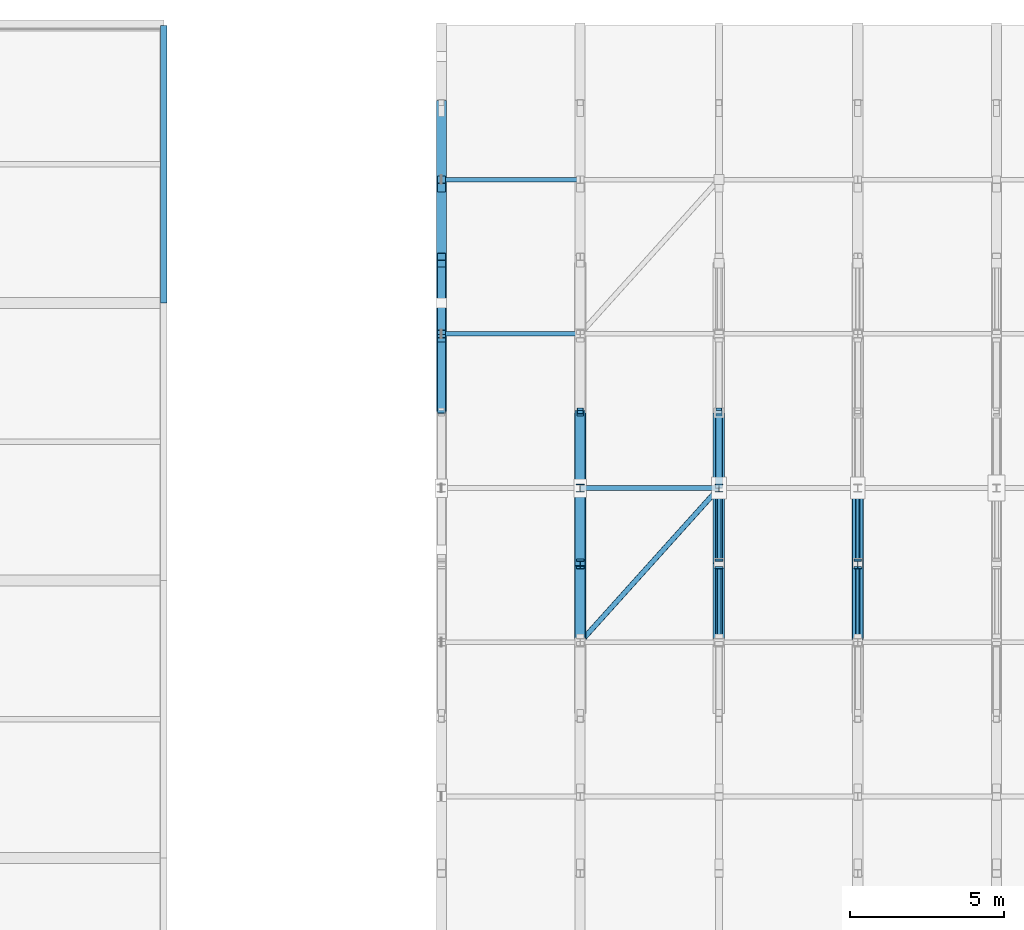
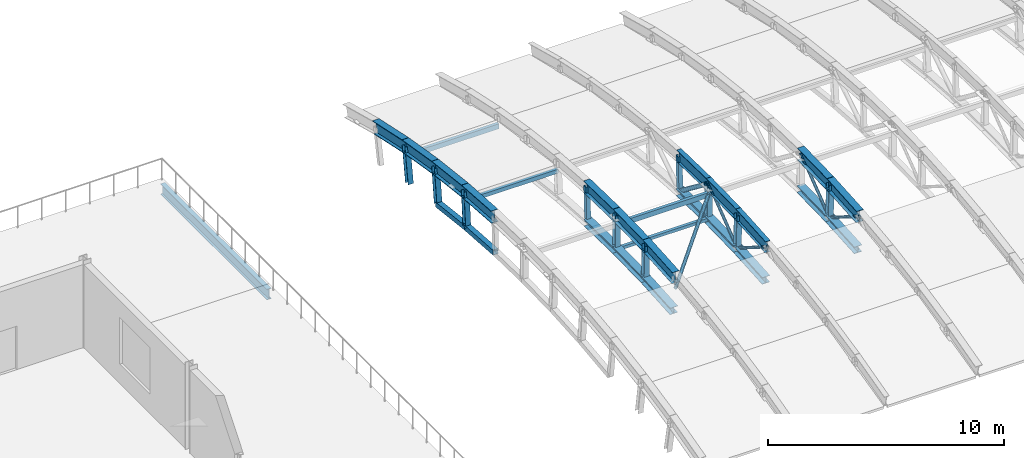
# One storey, part 9 of 53: 30 members, 13 beams.
"""IFC4 building model written with IfcOpenShell, lengths in metres."""

from ifc_helpers import new_model, si_unit, direction, frame, origin, origin_2d, place, context, subcontext, project, spatial, hollow_rectangle, hollow_circle, i_section, extrude, material, material_profile, profile_set, type_object, element, save


model = new_model("IFC4")

# Units and contexts
model_context = context("Model", 3, precision=1e-05, world=origin(), true_north=direction((0.0, 1.0)))
body_context = subcontext(model_context, "Body", "Model", "MODEL_VIEW")
ifc_project = project(units=[si_unit("LENGTHUNIT", "METRE"), si_unit("AREAUNIT", "SQUARE_METRE"), si_unit("VOLUMEUNIT", "CUBIC_METRE"), si_unit("PLANEANGLEUNIT", "RADIAN"), si_unit("MASSUNIT", "GRAM", prefix="KILO")], contexts=[model_context])

# Site, building, storey
site_placement = place(None, origin())
site = spatial("IfcSite", under=ifc_project, at=site_placement, CompositionType="ELEMENT")
building_placement = place(site_placement, origin())
building = spatial("IfcBuilding", under=site, at=building_placement, Name="Cazmaro Siding Exhibition Halls", CompositionType="ELEMENT")
storey_placement = place(building_placement, frame((0.0, 0.0, 21.0)))
storey = spatial("IfcBuildingStorey", under=building, at=storey_placement, Name="L04", CompositionType="ELEMENT", Elevation=21.0)

# Beams
ifc_material_1 = material(Name="Steel ASTM A992 Grade 50", Category="steel")
ifc_material_profile_1 = material_profile(ifc_material_1, i_section(OverallWidth=0.327880859375, OverallDepth=0.626953125, WebThickness=0.01708984375, FlangeThickness=0.028076171875, at=origin_2d()), Name="W24X146")
ifc_profile_set_1 = profile_set([ifc_material_profile_1], Name="Steel ASTM A992 Grade 50")
beam_type_1 = type_object("IfcBeamType", Name="AR-01", PredefinedType="USERDEFINED", material=ifc_profile_set_1)
beam_1_placement = place(storey_placement, frame((45.0, 96.5, 2.44189453125), z_axis=(0.0, 0.997537204184, -0.070139334669), x_axis=(-1.0, 0.0, 0.0)))
element("IfcBeam", 1, at=beam_1_placement, inside=storey, type_object=beam_type_1, Name="Space frame barrel vault arched rib AR-01 BM-0548", ObjectType="ARCHED RIB", PredefinedType="USERDEFINED", context=body_context, shape_type="SweptSolid", body=[
    extrude(i_section(OverallWidth=0.327880859375, OverallDepth=0.626953125, WebThickness=0.01708984375, FlangeThickness=0.028076171875, at=origin_2d()), origin(), (0.0, 0.0, 1.0), 2.506103515625),
])
beam_2_placement = place(storey_placement, frame((45.0, 99.0, 2.26611328125), z_axis=(0.0, 0.993147293786, -0.116869383693), x_axis=(-1.0, 0.0, 0.0)))
element("IfcBeam", 2, at=beam_2_placement, inside=storey, type_object=beam_type_1, Name="Space frame barrel vault arched rib AR-01 BM-0549", ObjectType="ARCHED RIB", PredefinedType="USERDEFINED", context=body_context, shape_type="SweptSolid", body=[
    extrude(i_section(OverallWidth=0.327880859375, OverallDepth=0.626953125, WebThickness=0.01708984375, FlangeThickness=0.028076171875, at=origin_2d()), origin(), (0.0, 0.0, 1.0), 2.517333984375),
])
beam_3_placement = place(storey_placement, frame((45.0, 101.5, 1.971923828125), z_axis=(0.0, 0.98649787474, -0.163774061236), x_axis=(-1.0, 0.0, 0.0)))
element("IfcBeam", 3, at=beam_3_placement, inside=storey, type_object=beam_type_1, Name="Space frame barrel vault arched rib AR-01 BM-0550", ObjectType="ARCHED RIB", PredefinedType="USERDEFINED", context=body_context, shape_type="SweptSolid", body=[
    extrude(i_section(OverallWidth=0.327880859375, OverallDepth=0.626953125, WebThickness=0.01708984375, FlangeThickness=0.028076171875, at=origin_2d()), origin(), (0.0, 0.0, 1.0), 2.5341796875),
])
beam_4_placement = place(storey_placement, frame((45.0, 104.0, 1.556884765625), z_axis=(0.0, 0.977710100146, -0.209959424826), x_axis=(-1.0, 0.0, 0.0)))
element("IfcBeam", 4, at=beam_4_placement, inside=storey, type_object=beam_type_1, Name="Space frame barrel vault arched rib AR-01 BM-0551", ObjectType="ARCHED RIB", PredefinedType="USERDEFINED", context=body_context, shape_type="SweptSolid", body=[
    extrude(i_section(OverallWidth=0.327880859375, OverallDepth=0.626953125, WebThickness=0.01708984375, FlangeThickness=0.028076171875, at=origin_2d()), origin(), (0.0, 0.0, 1.0), 2.556884765625),
])
beam_5_placement = place(storey_placement, frame((58.5, 89.0, 2.26611328125), z_axis=(0.0, 0.997537204184, 0.070139334669), x_axis=(-1.0, 0.0, 0.0)))
element("IfcBeam", 5, at=beam_5_placement, inside=storey, type_object=beam_type_1, Name="Space frame barrel vault arched rib AR-01 BM-0617", ObjectType="ARCHED RIB", PredefinedType="USERDEFINED", context=body_context, shape_type="SweptSolid", body=[
    extrude(i_section(OverallWidth=0.327880859375, OverallDepth=0.626953125, WebThickness=0.01708984375, FlangeThickness=0.028076171875, at=origin_2d()), origin(), (0.0, 0.0, 1.0), 2.506103515625),
])
beam_6_placement = place(storey_placement, frame((58.5, 91.5, 2.44189453125), z_axis=(0.0, 0.999730009742, 0.023235912336), x_axis=(-1.0, 0.0, 0.0)))
element("IfcBeam", 6, at=beam_6_placement, inside=storey, type_object=beam_type_1, Name="Space frame barrel vault arched rib AR-01 BM-0618", ObjectType="ARCHED RIB", PredefinedType="USERDEFINED", context=body_context, shape_type="SweptSolid", body=[
    extrude(i_section(OverallWidth=0.327880859375, OverallDepth=0.626953125, WebThickness=0.01708984375, FlangeThickness=0.028076171875, at=origin_2d()), origin(), (0.0, 0.0, 1.0), 2.500732421875),
])
ifc_material_2 = material(Name="Steel ASTM A992 Grade 50", Category="steel")
ifc_material_profile_2 = material_profile(ifc_material_2, i_section(OverallWidth=0.324951171875, OverallDepth=0.612060546875, WebThickness=0.012939453125, FlangeThickness=0.01904296875, at=origin_2d()), Name="W24X104")
ifc_profile_set_2 = profile_set([ifc_material_profile_2], Name="Steel ASTM A992 Grade 50")
beam_type_2 = type_object("IfcBeamType", Name="AR-02", PredefinedType="USERDEFINED", material=ifc_profile_set_2)
beam_7_placement = place(storey_placement, frame((49.5, 89.0, 2.26611328125), z_axis=(0.0, 0.997537204184, 0.070139334669), x_axis=(-1.0, 0.0, 0.0)))
element("IfcBeam", 7, at=beam_7_placement, inside=storey, type_object=beam_type_2, Name="Space frame barrel vault arched rib AR-02 BM-0569", ObjectType="ARCHED RIB", PredefinedType="USERDEFINED", context=body_context, shape_type="SweptSolid", body=[
    extrude(i_section(OverallWidth=0.324951171875, OverallDepth=0.612060546875, WebThickness=0.012939453125, FlangeThickness=0.01904296875, at=origin_2d()), origin(), (0.0, 0.0, 1.0), 2.506103515625),
])
for number, where, z_axis, x_axis, name in (
    (8, (49.5, 91.5, 2.44189453125), (0.0, 0.999730009742, 0.023235912336), (-1.0, 0.0, 0.0), "Space frame barrel vault arched rib AR-02 BM-0570"),
    (9, (49.5, 94.0, 2.5), (0.0, 0.999730009742, -0.023235912336), (-1.0, 0.0, 0.0), "Space frame barrel vault arched rib AR-02 BM-0571"),
):
    element("IfcBeam", number, at=place(storey_placement, frame(where, z_axis=z_axis, x_axis=x_axis)), inside=storey, type_object=beam_type_2, Name=name, ObjectType="ARCHED RIB", PredefinedType="USERDEFINED", context=body_context, shape_type="SweptSolid", body=[
        extrude(i_section(OverallWidth=0.324951171875, OverallDepth=0.612060546875, WebThickness=0.012939453125, FlangeThickness=0.01904296875, at=origin_2d()), origin(), (0.0, 0.0, 1.0), 2.500732421875),
    ])
ifc_material_3 = material(Name="Steel ASTM A992 Grade 50", Category="steel")
ifc_material_profile_3 = material_profile(ifc_material_3, i_section(OverallWidth=0.22900390625, OverallDepth=0.612060546875, WebThickness=0.011962890625, FlangeThickness=0.02001953125, at=origin_2d()), Name="W24X84")
ifc_profile_set_3 = profile_set([ifc_material_profile_3], Name="Steel ASTM A992 Grade 50")
beam_type_3 = type_object("IfcBeamType", Name="AR-03", PredefinedType="USERDEFINED", material=ifc_profile_set_3)
beam_8_placement = place(storey_placement, frame((54.0, 89.0, 2.26611328125), z_axis=(0.0, 0.997537204184, 0.070139334669), x_axis=(-1.0, 0.0, 0.0)))
element("IfcBeam", 10, at=beam_8_placement, inside=storey, type_object=beam_type_3, Name="Space frame barrel vault arched rib AR-03 BM-0593", ObjectType="ARCHED RIB", PredefinedType="USERDEFINED", context=body_context, shape_type="SweptSolid", body=[
    extrude(i_section(OverallWidth=0.22900390625, OverallDepth=0.612060546875, WebThickness=0.011962890625, FlangeThickness=0.02001953125, at=origin_2d()), origin(), (0.0, 0.0, 1.0), 2.506103515625),
])
for number, where, z_axis, x_axis, name in (
    (11, (54.0, 91.5, 2.44189453125), (0.0, 0.999730009742, 0.023235912336), (-1.0, 0.0, 0.0), "Space frame barrel vault arched rib AR-03 BM-0594"),
    (12, (54.0, 94.0, 2.5), (0.0, 0.999730009742, -0.023235912336), (-1.0, 0.0, 0.0), "Space frame barrel vault arched rib AR-03 BM-0595"),
):
    element("IfcBeam", number, at=place(storey_placement, frame(where, z_axis=z_axis, x_axis=x_axis)), inside=storey, type_object=beam_type_3, Name=name, ObjectType="ARCHED RIB", PredefinedType="USERDEFINED", context=body_context, shape_type="SweptSolid", body=[
        extrude(i_section(OverallWidth=0.22900390625, OverallDepth=0.612060546875, WebThickness=0.011962890625, FlangeThickness=0.02001953125, at=origin_2d()), origin(), (0.0, 0.0, 1.0), 2.500732421875),
    ])
ifc_material_4 = material(Name="Steel ASTM A992 Grade 50", Category="steel")
ifc_material_profile_4 = material_profile(ifc_material_4, i_section(OverallWidth=0.214111328125, OverallDepth=0.549072265625, WebThickness=0.014892578125, FlangeThickness=0.02392578125, at=origin_2d()), Name="W21X93")
ifc_profile_set_4 = profile_set([ifc_material_profile_4], Name="Steel ASTM A992 Grade 50")
beam_type_4 = type_object("IfcBeamType", Name="B-01", PredefinedType="BEAM", material=ifc_profile_set_4)
beam_9_placement = place(storey_placement, frame((36.0, 100.0, -0.5439453125), z_axis=(0.0, 1.0, 0.0), x_axis=(-1.0, 0.0, 0.0)))
element("IfcBeam", 13, at=beam_9_placement, inside=storey, type_object=beam_type_4, Name="Beam B-01 BM-2357", PredefinedType="BEAM", context=body_context, shape_type="SweptSolid", body=[
    extrude(i_section(OverallWidth=0.214111328125, OverallDepth=0.549072265625, WebThickness=0.014892578125, FlangeThickness=0.02392578125, at=origin_2d()), origin(), (0.0, 0.0, 1.0), 9.0),
])

# Members
ifc_material_5 = material(Name="Steel ASTM A500 Grade C", Category="steel")
ifc_material_profile_5 = material_profile(ifc_material_5, hollow_rectangle(XDim=0.152099609375, YDim=0.152099609375, WallThickness=0.009033203125, at=origin_2d()), Name="HSS6X6X3/8")
ifc_profile_set_5 = profile_set([ifc_material_profile_5], Name="Steel ASTM A500 Grade C")
member_type_1 = type_object("IfcMemberType", Name="CS-01", PredefinedType="STRUT", material=ifc_profile_set_5)
member_1_placement = place(storey_placement, frame((49.5, 94.0, 0.699951171875), z_axis=(1.0, 0.0, 0.0), x_axis=(0.0, 1.0, 0.0)))
element("IfcMember", 14, at=member_1_placement, inside=storey, type_object=member_type_1, Name="Space frame vault ridge compression strut CS-01 MEM-1990", PredefinedType="STRUT", context=body_context, shape_type="SweptSolid", body=[
    extrude(hollow_rectangle(XDim=0.152099609375, YDim=0.152099609375, WallThickness=0.009033203125, at=origin_2d()), origin(), (0.0, 0.0, 1.0), 4.5),
])
ifc_material_6 = material(Name="Steel ASTM A500 Grade C", Category="steel")
ifc_material_profile_6 = material_profile(ifc_material_6, hollow_rectangle(XDim=0.152099609375, YDim=0.202880859375, WallThickness=0.011962890625, at=origin_2d()), Name="HSS8X6X1/2")
ifc_profile_set_6 = profile_set([ifc_material_profile_6], Name="Steel ASTM A500 Grade C")
member_type_2 = type_object("IfcMemberType", Name="RP-01", PredefinedType="PURLIN", material=ifc_profile_set_6)
member_2_placement = place(storey_placement, frame((45.0, 99.0, 1.72607421875), z_axis=(1.0, 0.0, 0.0), x_axis=(0.0, 1.0, 0.0)))
element("IfcMember", 15, at=member_2_placement, inside=storey, type_object=member_type_2, Name="Space frame barrel vault purlin RP-01 MEM-1970", PredefinedType="PURLIN", context=body_context, shape_type="SweptSolid", body=[
    extrude(hollow_rectangle(XDim=0.152099609375, YDim=0.202880859375, WallThickness=0.011962890625, at=origin_2d()), origin(), (0.0, 0.0, 1.0), 4.5),
])
ifc_material_7 = material(Name="Steel ASTM A500 Grade C", Category="steel")
ifc_material_profile_7 = material_profile(ifc_material_7, hollow_rectangle(XDim=0.152099609375, YDim=0.25390625, WallThickness=0.011962890625, at=origin_2d()), Name="HSS10X6X1/2")
ifc_profile_set_7 = profile_set([ifc_material_profile_7], Name="Steel ASTM A500 Grade C")
member_type_3 = type_object("IfcMemberType", Name="RP-04", PredefinedType="PURLIN", material=ifc_profile_set_7)
for number, where, z_axis, x_axis, name in (
    (16, (45.0, 104.0, 1.01708984375), (1.0, 0.0, 0.0), (0.0, 1.0, 0.0), "Space frame barrel vault purlin RP-04 MEM-1971"),
    (17, (49.5, 94.0, 1.9599609375), (1.0, 0.0, 0.0), (0.0, 1.0, 0.0), "Space frame barrel vault purlin RP-04 MEM-1980"),
):
    element("IfcMember", number, at=place(storey_placement, frame(where, z_axis=z_axis, x_axis=x_axis)), inside=storey, type_object=member_type_3, Name=name, PredefinedType="PURLIN", context=body_context, shape_type="SweptSolid", body=[
        extrude(hollow_rectangle(XDim=0.152099609375, YDim=0.25390625, WallThickness=0.011962890625, at=origin_2d()), origin(), (0.0, 0.0, 1.0), 4.5),
    ])
ifc_material_8 = material(Name="Steel ASTM A500 Grade C", Category="steel")
ifc_material_profile_8 = material_profile(ifc_material_8, hollow_rectangle(XDim=0.25390625, YDim=0.25390625, WallThickness=0.014892578125, at=origin_2d()), Name="HSS10X10X5/8")
ifc_profile_set_8 = profile_set([ifc_material_profile_8], Name="Steel ASTM A500 Grade C")
member_type_4 = type_object("IfcMemberType", Name="TC-01", PredefinedType="CHORD", material=ifc_profile_set_8)
member_3_placement = place(storey_placement, frame((45.0, 96.429931640625, 0.64404296875), z_axis=(0.0, 0.997529419526, -0.070249962135), x_axis=(-1.0, 0.0, 0.0)))
element("IfcMember", 18, at=member_3_placement, inside=storey, type_object=member_type_4, Name="Space frame barrel vault bottom chord TC-01 MEM-0014", PredefinedType="CHORD", context=body_context, shape_type="SweptSolid", body=[
    extrude(hollow_rectangle(XDim=0.25390625, YDim=0.25390625, WallThickness=0.014892578125, at=origin_2d()), origin(), (0.0, 0.0, 1.0), 2.436279296875),
])
member_4_placement = place(storey_placement, frame((45.0, 98.860107421875, 0.472900390625), z_axis=(0.0, 0.993149923187, -0.116847037079), x_axis=(-1.0, 0.0, 0.0)))
element("IfcMember", 19, at=member_4_placement, inside=storey, type_object=member_type_4, Name="Space frame barrel vault bottom chord TC-01 MEM-0015", PredefinedType="CHORD", context=body_context, shape_type="SweptSolid", body=[
    extrude(hollow_rectangle(XDim=0.25390625, YDim=0.25390625, WallThickness=0.014892578125, at=origin_2d()), origin(), (0.0, 0.0, 1.0), 2.44677734375),
])
ifc_material_9 = material(Name="Steel ASTM A992 Grade 50", Category="steel")
ifc_material_profile_9 = material_profile(ifc_material_9, i_section(OverallWidth=0.37109375, OverallDepth=0.364013671875, WebThickness=0.012939453125, FlangeThickness=0.02197265625, at=origin_2d()), Name="W14X109")
ifc_profile_set_9 = profile_set([ifc_material_profile_9], Name="Steel ASTM A992 Grade 50")
member_type_5 = type_object("IfcMemberType", Name="TC-06", PredefinedType="CHORD", material=ifc_profile_set_9)
member_5_placement = place(storey_placement, frame((49.5, 89.139892578125, 0.472900390625), z_axis=(0.0, 0.997529419526, 0.070249962135), x_axis=(-1.0, 0.0, 0.0)))
element("IfcMember", 20, at=member_5_placement, inside=storey, type_object=member_type_5, Name="Space frame barrel vault bottom chord TC-06 MEM-0058", PredefinedType="CHORD", context=body_context, shape_type="SweptSolid", body=[
    extrude(i_section(OverallWidth=0.37109375, OverallDepth=0.364013671875, WebThickness=0.012939453125, FlangeThickness=0.02197265625, at=origin_2d()), origin(), (0.0, 0.0, 1.0), 2.436279296875),
])
for number, where, z_axis, x_axis, name in (
    (21, (49.5, 91.570068359375, 0.64404296875), (0.0, 0.99973541783, 0.023002050707), (-1.0, 0.0, 0.0), "Space frame barrel vault bottom chord TC-06 MEM-0059"),
    (22, (49.5, 94.0, 0.699951171875), (0.0, 0.99973541783, -0.023002050707), (-1.0, 0.0, 0.0), "Space frame barrel vault bottom chord TC-06 MEM-0060"),
):
    element("IfcMember", number, at=place(storey_placement, frame(where, z_axis=z_axis, x_axis=x_axis)), inside=storey, type_object=member_type_5, Name=name, PredefinedType="CHORD", context=body_context, shape_type="SweptSolid", body=[
        extrude(i_section(OverallWidth=0.37109375, OverallDepth=0.364013671875, WebThickness=0.012939453125, FlangeThickness=0.02197265625, at=origin_2d()), origin(), (0.0, 0.0, 1.0), 2.4306640625),
    ])
member_6_placement = place(storey_placement, frame((54.0, 89.139892578125, 0.472900390625), z_axis=(0.0, 0.997529419526, 0.070249962135), x_axis=(-1.0, 0.0, 0.0)))
element("IfcMember", 23, at=member_6_placement, inside=storey, type_object=member_type_5, Name="Space frame barrel vault bottom chord TC-06 MEM-0115", PredefinedType="CHORD", context=body_context, shape_type="SweptSolid", body=[
    extrude(i_section(OverallWidth=0.37109375, OverallDepth=0.364013671875, WebThickness=0.012939453125, FlangeThickness=0.02197265625, at=origin_2d()), origin(), (0.0, 0.0, 1.0), 2.436279296875),
])
for number, where, z_axis, x_axis, name in (
    (24, (54.0, 91.570068359375, 0.64404296875), (0.0, 0.99973541783, 0.023002050707), (-1.0, 0.0, 0.0), "Space frame barrel vault bottom chord TC-06 MEM-0117"),
    (25, (54.0, 94.0, 0.699951171875), (0.0, 0.99973541783, -0.023002050707), (-1.0, 0.0, 0.0), "Space frame barrel vault bottom chord TC-06 MEM-0119"),
):
    element("IfcMember", number, at=place(storey_placement, frame(where, z_axis=z_axis, x_axis=x_axis)), inside=storey, type_object=member_type_5, Name=name, PredefinedType="CHORD", context=body_context, shape_type="SweptSolid", body=[
        extrude(i_section(OverallWidth=0.37109375, OverallDepth=0.364013671875, WebThickness=0.012939453125, FlangeThickness=0.02197265625, at=origin_2d()), origin(), (0.0, 0.0, 1.0), 2.4306640625),
    ])
member_7_placement = place(storey_placement, frame((58.5, 89.139892578125, 0.472900390625), z_axis=(0.0, 0.997529419526, 0.070249962135), x_axis=(-1.0, 0.0, 0.0)))
element("IfcMember", 26, at=member_7_placement, inside=storey, type_object=member_type_5, Name="Space frame barrel vault bottom chord TC-06 MEM-0186", PredefinedType="CHORD", context=body_context, shape_type="SweptSolid", body=[
    extrude(i_section(OverallWidth=0.37109375, OverallDepth=0.364013671875, WebThickness=0.012939453125, FlangeThickness=0.02197265625, at=origin_2d()), origin(), (0.0, 0.0, 1.0), 2.436279296875),
])
member_8_placement = place(storey_placement, frame((58.5, 91.570068359375, 0.64404296875), z_axis=(0.0, 0.99973541783, 0.023002050707), x_axis=(-1.0, 0.0, 0.0)))
element("IfcMember", 27, at=member_8_placement, inside=storey, type_object=member_type_5, Name="Space frame barrel vault bottom chord TC-06 MEM-0188", PredefinedType="CHORD", context=body_context, shape_type="SweptSolid", body=[
    extrude(i_section(OverallWidth=0.37109375, OverallDepth=0.364013671875, WebThickness=0.012939453125, FlangeThickness=0.02197265625, at=origin_2d()), origin(), (0.0, 0.0, 1.0), 2.4306640625),
])
ifc_material_10 = material(Name="Steel ASTM A500 Grade C", Category="steel")
ifc_material_profile_10 = material_profile(ifc_material_10, hollow_rectangle(XDim=0.202880859375, YDim=0.202880859375, WallThickness=0.011962890625, at=origin_2d()), Name="HSS8X8X1/2")
ifc_profile_set_10 = profile_set([ifc_material_profile_10], Name="Steel ASTM A500 Grade C")
member_type_6 = type_object("IfcMemberType", Name="TP-01", PredefinedType="POST", material=ifc_profile_set_10)
for number, where, z_axis, x_axis, name in (
    (28, (49.5, 96.429931640625, 0.64404296875), (0.0, 0.038943818889, 0.999241401749), (-1.0, 0.0, 0.0), "Space frame barrel vault post TP-01 MEM-0084"),
    (29, (54.0, 96.429931640625, 0.64404296875), (0.0, 0.038943818889, 0.999241401749), (-1.0, 0.0, 0.0), "Space frame barrel vault post TP-01 MEM-0155"),
):
    element("IfcMember", number, at=place(storey_placement, frame(where, z_axis=z_axis, x_axis=x_axis)), inside=storey, type_object=member_type_6, Name=name, PredefinedType="POST", context=body_context, shape_type="SweptSolid", body=[
        extrude(hollow_rectangle(XDim=0.202880859375, YDim=0.202880859375, WallThickness=0.011962890625, at=origin_2d()), origin(), (0.0, 0.0, 1.0), 1.79931640625),
    ])
ifc_material_11 = material(Name="Steel ASTM A992 Grade 50", Category="steel")
ifc_material_profile_11 = material_profile(ifc_material_11, i_section(OverallWidth=0.25390625, OverallDepth=0.25390625, WebThickness=0.009033203125, FlangeThickness=0.013916015625, at=origin_2d()), Name="W10X49")
ifc_profile_set_11 = profile_set([ifc_material_profile_11], Name="Steel ASTM A992 Grade 50")
member_type_7 = type_object("IfcMemberType", Name="TP-04", PredefinedType="POST", material=ifc_profile_set_11)
member_9_placement = place(storey_placement, frame((45.0, 98.860107421875, 0.472900390625), z_axis=(0.0, 0.077775943468, 0.996970863475), x_axis=(-1.0, 0.0, 0.0)))
element("IfcMember", 30, at=member_9_placement, inside=storey, type_object=member_type_7, Name="Space frame barrel vault post TP-04 MEM-0038", PredefinedType="POST", context=body_context, shape_type="SweptSolid", body=[
    extrude(i_section(OverallWidth=0.25390625, OverallDepth=0.25390625, WebThickness=0.009033203125, FlangeThickness=0.013916015625, at=origin_2d()), origin(), (0.0, 0.0, 1.0), 1.798583984375),
])
member_10_placement = place(storey_placement, frame((45.0, 101.2900390625, 0.18701171875), z_axis=(0.0, 0.116825484133, 0.993152458718), x_axis=(-1.0, 0.0, 0.0)))
element("IfcMember", 31, at=member_10_placement, inside=storey, type_object=member_type_7, Name="Space frame barrel vault post TP-04 MEM-0039", PredefinedType="POST", context=body_context, shape_type="SweptSolid", body=[
    extrude(i_section(OverallWidth=0.25390625, OverallDepth=0.25390625, WebThickness=0.009033203125, FlangeThickness=0.013916015625, at=origin_2d()), origin(), (0.0, 0.0, 1.0), 1.797119140625),
])
member_11_placement = place(storey_placement, frame((45.0, 103.719970703125, -0.217041015625), z_axis=(0.0, 0.155927668857, 0.987768475952), x_axis=(-1.0, 0.0, 0.0)))
element("IfcMember", 32, at=member_11_placement, inside=storey, type_object=member_type_7, Name="Space frame barrel vault post TP-04 MEM-0040", PredefinedType="POST", context=body_context, shape_type="SweptSolid", body=[
    extrude(i_section(OverallWidth=0.25390625, OverallDepth=0.25390625, WebThickness=0.009033203125, FlangeThickness=0.013916015625, at=origin_2d()), origin(), (0.0, 0.0, 1.0), 1.7958984375),
])
member_12_placement = place(storey_placement, frame((49.5, 91.570068359375, 0.64404296875), z_axis=(0.0, -0.038943818889, 0.999241401749), x_axis=(1.0, 0.0, 0.0)))
element("IfcMember", 33, at=member_12_placement, inside=storey, type_object=member_type_7, Name="Space frame barrel vault post TP-04 MEM-0082", PredefinedType="POST", context=body_context, shape_type="SweptSolid", body=[
    extrude(i_section(OverallWidth=0.25390625, OverallDepth=0.25390625, WebThickness=0.009033203125, FlangeThickness=0.013916015625, at=origin_2d()), origin(), (0.0, 0.0, 1.0), 1.79931640625),
])
member_13_placement = place(storey_placement, frame((49.5, 94.0, 0.699951171875), z_axis=(0.0, 0.0, 1.0), x_axis=(1.0, 0.0, 0.0)))
element("IfcMember", 34, at=member_13_placement, inside=storey, type_object=member_type_7, Name="Space frame barrel vault post TP-04 MEM-0083", PredefinedType="POST", context=body_context, shape_type="SweptSolid", body=[
    extrude(i_section(OverallWidth=0.25390625, OverallDepth=0.25390625, WebThickness=0.009033203125, FlangeThickness=0.013916015625, at=origin_2d()), origin(), (0.0, 0.0, 1.0), 1.800048828125),
])
member_14_placement = place(storey_placement, frame((54.0, 91.570068359375, 0.64404296875), z_axis=(0.0, -0.038943818889, 0.999241401749), x_axis=(1.0, 0.0, 0.0)))
element("IfcMember", 35, at=member_14_placement, inside=storey, type_object=member_type_7, Name="Space frame barrel vault post TP-04 MEM-0153", PredefinedType="POST", context=body_context, shape_type="SweptSolid", body=[
    extrude(i_section(OverallWidth=0.25390625, OverallDepth=0.25390625, WebThickness=0.009033203125, FlangeThickness=0.013916015625, at=origin_2d()), origin(), (0.0, 0.0, 1.0), 1.79931640625),
])
member_15_placement = place(storey_placement, frame((54.0, 94.0, 0.699951171875), z_axis=(0.0, 0.0, 1.0), x_axis=(1.0, 0.0, 0.0)))
element("IfcMember", 36, at=member_15_placement, inside=storey, type_object=member_type_7, Name="Space frame barrel vault post TP-04 MEM-0154", PredefinedType="POST", context=body_context, shape_type="SweptSolid", body=[
    extrude(i_section(OverallWidth=0.25390625, OverallDepth=0.25390625, WebThickness=0.009033203125, FlangeThickness=0.013916015625, at=origin_2d()), origin(), (0.0, 0.0, 1.0), 1.800048828125),
])
member_16_placement = place(storey_placement, frame((58.5, 91.570068359375, 0.64404296875), z_axis=(0.0, -0.038943818889, 0.999241401749), x_axis=(1.0, 0.0, 0.0)))
element("IfcMember", 37, at=member_16_placement, inside=storey, type_object=member_type_7, Name="Space frame barrel vault post TP-04 MEM-0224", PredefinedType="POST", context=body_context, shape_type="SweptSolid", body=[
    extrude(i_section(OverallWidth=0.25390625, OverallDepth=0.25390625, WebThickness=0.009033203125, FlangeThickness=0.013916015625, at=origin_2d()), origin(), (0.0, 0.0, 1.0), 1.79931640625),
])
ifc_material_12 = material(Name="Steel ASTM A500 Grade C", Category="steel")
ifc_material_profile_12 = material_profile(ifc_material_12, hollow_circle(Radius=0.109619140625, WallThickness=0.012939453125, at=origin_2d()), Name="PIPE8XS")
ifc_profile_set_12 = profile_set([ifc_material_profile_12], Name="Steel ASTM A500 Grade C")
member_type_8 = type_object("IfcMemberType", Name="WB-01", PredefinedType="BRACE", material=ifc_profile_set_12)
member_17_placement = place(storey_placement, frame((54.0, 94.0, 2.5), z_axis=(0.0, 0.794708988455, -0.60699062898), x_axis=(-1.0, 0.0, 0.0)))
element("IfcMember", 38, at=member_17_placement, inside=storey, type_object=member_type_8, Name="Space frame barrel vault diagonal WB-01 MEM-0120", PredefinedType="BRACE", context=body_context, shape_type="SweptSolid", body=[
    extrude(hollow_circle(Radius=0.109619140625, WallThickness=0.012939453125, at=origin_2d()), origin(), (0.0, 0.0, 1.0), 3.0576171875),
])
ifc_material_13 = material(Name="Steel ASTM A500 Grade C", Category="steel")
ifc_material_profile_13 = material_profile(ifc_material_13, hollow_circle(Radius=0.083984375, WallThickness=0.01806640625, at=origin_2d()), Name="PIPE6XXS")
ifc_profile_set_13 = profile_set([ifc_material_profile_13], Name="Steel ASTM A500 Grade C")
member_type_9 = type_object("IfcMemberType", Name="WB-05", PredefinedType="BRACE", material=ifc_profile_set_13)
member_18_placement = place(storey_placement, frame((49.5, 89.0, 1.72607421875), z_axis=(0.668560740132, 0.742845266814, 0.034748328399), x_axis=(-0.743294146247, 0.668964731622, 0.0)))
element("IfcMember", 39, at=member_18_placement, inside=storey, type_object=member_type_9, Name="Space frame barrel vault wind brace WB-05 MEM-1987", PredefinedType="BRACE", context=body_context, shape_type="SweptSolid", body=[
    extrude(hollow_circle(Radius=0.083984375, WallThickness=0.01806640625, at=origin_2d()), origin(), (0.0, 0.0, 1.0), 6.73095703125),
])
ifc_material_14 = material(Name="Steel ASTM A500 Grade C", Category="steel")
ifc_material_profile_14 = material_profile(ifc_material_14, hollow_circle(Radius=0.070556640625, WallThickness=0.01904296875, at=origin_2d()), Name="PIPE5XXS")
ifc_profile_set_14 = profile_set([ifc_material_profile_14], Name="Steel ASTM A500 Grade C")
member_type_10 = type_object("IfcMemberType", Name="WB-07", PredefinedType="BRACE", material=ifc_profile_set_14)
member_19_placement = place(storey_placement, frame((54.0, 89.0, 2.26611328125), z_axis=(0.0, 0.84565684294, -0.533726993872), x_axis=(-1.0, 0.0, 0.0)))
element("IfcMember", 40, at=member_19_placement, inside=storey, type_object=member_type_10, Name="Space frame barrel vault diagonal WB-07 MEM-0116", PredefinedType="BRACE", context=body_context, shape_type="SweptSolid", body=[
    extrude(hollow_circle(Radius=0.070556640625, WallThickness=0.01904296875, at=origin_2d()), origin(), (0.0, 0.0, 1.0), 3.0390625),
])
member_20_placement = place(storey_placement, frame((54.0, 91.570068359375, 0.64404296875), z_axis=(0.0, 0.794708988455, 0.60699062898), x_axis=(-1.0, 0.0, 0.0)))
element("IfcMember", 41, at=member_20_placement, inside=storey, type_object=member_type_10, Name="Space frame barrel vault diagonal WB-07 MEM-0118", PredefinedType="BRACE", context=body_context, shape_type="SweptSolid", body=[
    extrude(hollow_circle(Radius=0.070556640625, WallThickness=0.01904296875, at=origin_2d()), origin(), (0.0, 0.0, 1.0), 3.0576171875),
])
member_21_placement = place(storey_placement, frame((58.5, 89.0, 2.26611328125), z_axis=(0.0, 0.84565684294, -0.533726993872), x_axis=(-1.0, 0.0, 0.0)))
element("IfcMember", 42, at=member_21_placement, inside=storey, type_object=member_type_10, Name="Space frame barrel vault diagonal WB-07 MEM-0187", PredefinedType="BRACE", context=body_context, shape_type="SweptSolid", body=[
    extrude(hollow_circle(Radius=0.070556640625, WallThickness=0.01904296875, at=origin_2d()), origin(), (0.0, 0.0, 1.0), 3.0390625),
])
member_22_placement = place(storey_placement, frame((58.5, 91.570068359375, 0.64404296875), z_axis=(0.0, 0.794708988455, 0.60699062898), x_axis=(-1.0, 0.0, 0.0)))
element("IfcMember", 43, at=member_22_placement, inside=storey, type_object=member_type_10, Name="Space frame barrel vault diagonal WB-07 MEM-0189", PredefinedType="BRACE", context=body_context, shape_type="SweptSolid", body=[
    extrude(hollow_circle(Radius=0.070556640625, WallThickness=0.01904296875, at=origin_2d()), origin(), (0.0, 0.0, 1.0), 3.0576171875),
])

save(model, "model.ifc")
